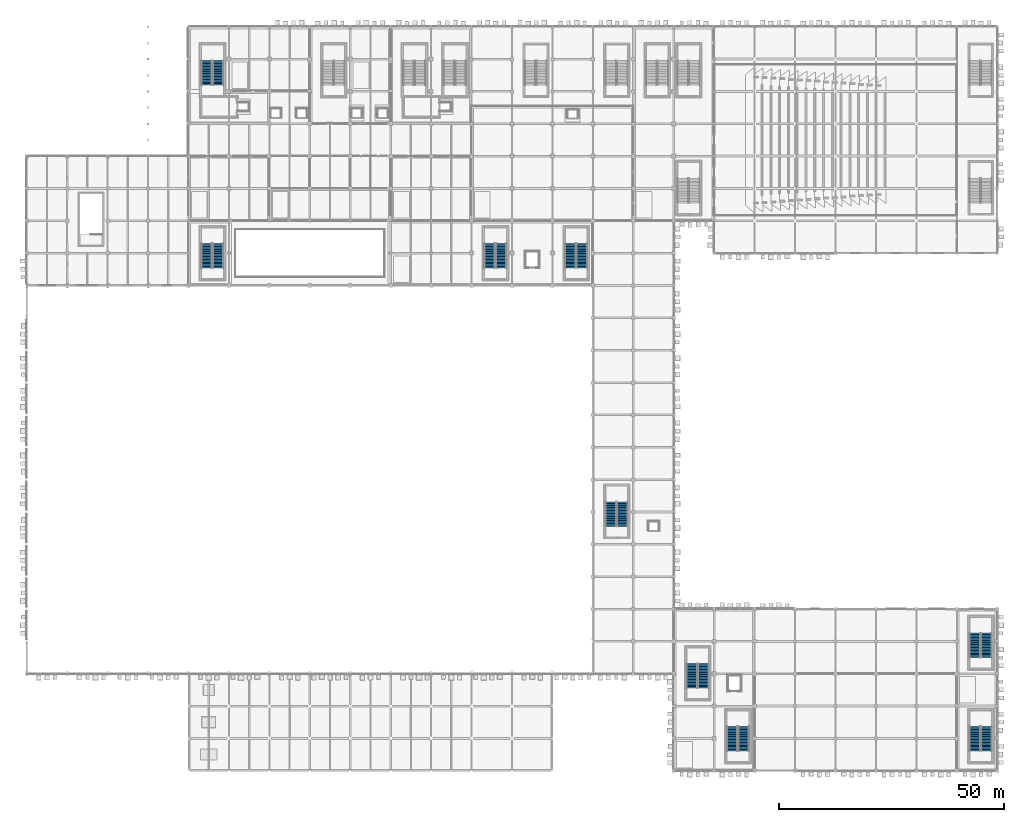
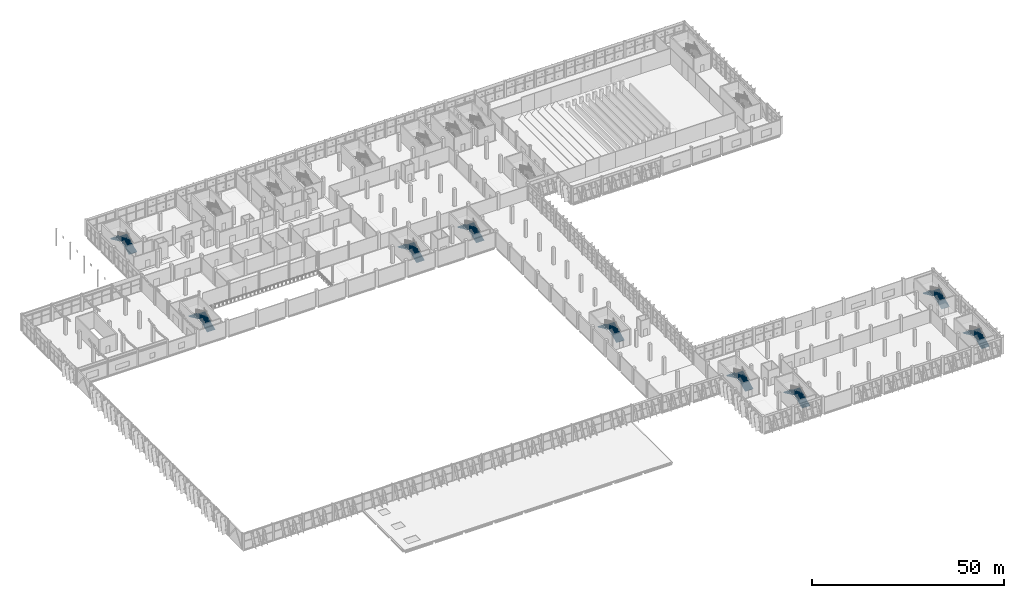
# One storey, part 144 of 189: 18 stair flights, 9 elements without a shape of their own.
"""IFC4 building model written with IfcOpenShell, lengths in metres."""

from ifc_helpers import new_model, si_unit, direction, frame, origin, place, context, subcontext, project, spatial, polyline, outline, extrude, material, type_object, element, aggregate, save


model = new_model("IFC4")

# Units and contexts
model_context = context("Model", 3, precision=1e-05, world=origin(), true_north=direction((0.0, 1.0)))
body_context = subcontext(model_context, "Body", "Model", "MODEL_VIEW")
ifc_project = project(units=[si_unit("LENGTHUNIT", "METRE"), si_unit("AREAUNIT", "SQUARE_METRE"), si_unit("VOLUMEUNIT", "CUBIC_METRE"), si_unit("PLANEANGLEUNIT", "RADIAN"), si_unit("MASSUNIT", "GRAM", prefix="KILO")], contexts=[model_context])

# Site, building, storey
site_placement = place(None, origin())
site = spatial("IfcSite", under=ifc_project, at=site_placement, CompositionType="ELEMENT")
building_placement = place(site_placement, origin())
building = spatial("IfcBuilding", under=site, at=building_placement, Name="Celestram Park Convention Centre", CompositionType="ELEMENT")
storey_placement = place(building_placement, frame((0.0, 0.0, 5.39990234375)))
storey = spatial("IfcBuildingStorey", under=building, at=storey_placement, Name="L01", CompositionType="ELEMENT", Elevation=5.39990234375)

# Stair, stair flights
ifc_material = material(Name="Precast Concrete C40/50", Category="concrete")
stair_type = type_object("IfcStairType", Name="ARC-STR-DOG54", PredefinedType="HALF_TURN_STAIR", material=ifc_material)
stair_1_placement = place(storey_placement, origin())
stair_1 = element("IfcStair", 1, at=stair_1_placement, inside=storey, type_object=stair_type, Name="L01 Core C1 stair ST-01", PredefinedType="HALF_TURN_STAIR")
stair_flight_type = type_object("IfcStairFlightType", Name="ARC-FLT-18R", PredefinedType="STRAIGHT", material=ifc_material)
stair_flight_1_placement = place(storey_placement, frame((42.60009765625, 152.60009765625, 0.0), z_axis=(0.0, 0.0, 1.0), x_axis=(0.0, 1.0, 0.0)))
stair_flight_1 = element("IfcStairFlight", 2, at=stair_flight_1_placement, type_object=stair_flight_type, Name="ST-01 flight 1", NumberOfRisers=18, NumberOfTreads=17, PredefinedType="STRAIGHT", RiserHeight=0.15, TreadLength=0.32, context=body_context, shape_type="SweptSolid", body=[
    extrude(outline(polyline([(0.0, 0.0), (0.0, 0.14990234375), (0.320068359375, 0.14990234375), (0.320068359375, 0.300048828125), (0.639892578125, 0.300048828125), (0.639892578125, 0.449951171875), (0.9599609375, 0.449951171875), (0.9599609375, 0.60009765625), (1.280029296875, 0.60009765625), (1.280029296875, 0.75), (1.60009765625, 0.75), (1.60009765625, 0.89990234375), (1.919921875, 0.89990234375), (1.919921875, 1.050048828125), (2.239990234375, 1.050048828125), (2.239990234375, 1.199951171875), (2.56005859375, 1.199951171875), (2.56005859375, 1.35009765625), (2.8798828125, 1.35009765625), (2.8798828125, 1.5), (3.199951171875, 1.5), (3.199951171875, 1.64990234375), (3.52001953125, 1.64990234375), (3.52001953125, 1.800048828125), (3.840087890625, 1.800048828125), (3.840087890625, 1.949951171875), (4.159912109375, 1.949951171875), (4.159912109375, 2.10009765625), (4.47998046875, 2.10009765625), (4.47998046875, 2.25), (4.800048828125, 2.25), (4.800048828125, 2.39990234375), (5.1201171875, 2.39990234375), (5.1201171875, 2.550048828125), (5.43994140625, 2.550048828125), (5.43994140625, 2.699951171875), (5.43994140625, 2.384521484375), (0.353271484375, 0.0), (0.0, 0.0)])), frame((0.0, 1.199951171875, 0.0), z_axis=(0.0, -1.0, 0.0), x_axis=(1.0, 0.0, 0.0)), (0.0, 0.0, 1.0), 2.39990234375),
])
stair_flight_2_placement = place(storey_placement, frame((40.0400390625, 158.0400390625, 2.7001953125), z_axis=(0.0, 0.0, 1.0), x_axis=(0.0, -1.0, 0.0)))
stair_flight_2 = element("IfcStairFlight", 3, at=stair_flight_2_placement, type_object=stair_flight_type, Name="ST-01 flight 2", NumberOfRisers=18, NumberOfTreads=17, PredefinedType="STRAIGHT", RiserHeight=0.15, TreadLength=0.32, context=body_context, shape_type="SweptSolid", body=[
    extrude(outline(polyline([(0.0, 0.0), (0.0, 0.14990234375), (0.320068359375, 0.14990234375), (0.320068359375, 0.300048828125), (0.639892578125, 0.300048828125), (0.639892578125, 0.449951171875), (0.9599609375, 0.449951171875), (0.9599609375, 0.60009765625), (1.280029296875, 0.60009765625), (1.280029296875, 0.75), (1.60009765625, 0.75), (1.60009765625, 0.89990234375), (1.919921875, 0.89990234375), (1.919921875, 1.050048828125), (2.239990234375, 1.050048828125), (2.239990234375, 1.199951171875), (2.56005859375, 1.199951171875), (2.56005859375, 1.35009765625), (2.8798828125, 1.35009765625), (2.8798828125, 1.5), (3.199951171875, 1.5), (3.199951171875, 1.64990234375), (3.52001953125, 1.64990234375), (3.52001953125, 1.800048828125), (3.840087890625, 1.800048828125), (3.840087890625, 1.949951171875), (4.159912109375, 1.949951171875), (4.159912109375, 2.10009765625), (4.47998046875, 2.10009765625), (4.47998046875, 2.25), (4.800048828125, 2.25), (4.800048828125, 2.39990234375), (5.1201171875, 2.39990234375), (5.1201171875, 2.550048828125), (5.43994140625, 2.550048828125), (5.43994140625, 2.699951171875), (5.43994140625, 2.384521484375), (0.353271484375, 0.0), (0.0, 0.0)])), frame((0.0, 1.199951171875, 0.0), z_axis=(0.0, -1.0, 0.0), x_axis=(1.0, 0.0, 0.0)), (0.0, 0.0, 1.0), 2.39990234375),
])
aggregate(stair_1, [stair_flight_1, stair_flight_2])

stair_2_placement = place(storey_placement, origin())
stair_2 = element("IfcStair", 4, at=stair_2_placement, inside=storey, type_object=stair_type, Name="L01 Core C3 stair ST-03", PredefinedType="HALF_TURN_STAIR")
stair_flight_3_placement = place(storey_placement, frame((105.60009765625, 111.89990234375, 0.0), z_axis=(0.0, 0.0, 1.0), x_axis=(0.0, 1.0, 0.0)))
stair_flight_3 = element("IfcStairFlight", 5, at=stair_flight_3_placement, type_object=stair_flight_type, Name="ST-03 flight 1", NumberOfRisers=18, NumberOfTreads=17, PredefinedType="STRAIGHT", RiserHeight=0.15, TreadLength=0.32, context=body_context, shape_type="SweptSolid", body=[
    extrude(outline(polyline([(0.0, 0.0), (0.0, 0.14990234375), (0.320068359375, 0.14990234375), (0.320068359375, 0.300048828125), (0.639892578125, 0.300048828125), (0.639892578125, 0.449951171875), (0.9599609375, 0.449951171875), (0.9599609375, 0.60009765625), (1.280029296875, 0.60009765625), (1.280029296875, 0.75), (1.60009765625, 0.75), (1.60009765625, 0.89990234375), (1.919921875, 0.89990234375), (1.919921875, 1.050048828125), (2.239990234375, 1.050048828125), (2.239990234375, 1.199951171875), (2.56005859375, 1.199951171875), (2.56005859375, 1.35009765625), (2.8798828125, 1.35009765625), (2.8798828125, 1.5), (3.199951171875, 1.5), (3.199951171875, 1.64990234375), (3.52001953125, 1.64990234375), (3.52001953125, 1.800048828125), (3.840087890625, 1.800048828125), (3.840087890625, 1.949951171875), (4.159912109375, 1.949951171875), (4.159912109375, 2.10009765625), (4.47998046875, 2.10009765625), (4.47998046875, 2.25), (4.800048828125, 2.25), (4.800048828125, 2.39990234375), (5.1201171875, 2.39990234375), (5.1201171875, 2.550048828125), (5.43994140625, 2.550048828125), (5.43994140625, 2.699951171875), (5.43994140625, 2.384521484375), (0.353271484375, 0.0), (0.0, 0.0)])), frame((0.0, 1.199951171875, 0.0), z_axis=(0.0, -1.0, 0.0), x_axis=(1.0, 0.0, 0.0)), (0.0, 0.0, 1.0), 2.39990234375),
])
stair_flight_4_placement = place(storey_placement, frame((103.0400390625, 117.340087890625, 2.7001953125), z_axis=(0.0, 0.0, 1.0), x_axis=(0.0, -1.0, 0.0)))
stair_flight_4 = element("IfcStairFlight", 6, at=stair_flight_4_placement, type_object=stair_flight_type, Name="ST-03 flight 2", NumberOfRisers=18, NumberOfTreads=17, PredefinedType="STRAIGHT", RiserHeight=0.15, TreadLength=0.32, context=body_context, shape_type="SweptSolid", body=[
    extrude(outline(polyline([(0.0, 0.0), (0.0, 0.14990234375), (0.320068359375, 0.14990234375), (0.320068359375, 0.300048828125), (0.639892578125, 0.300048828125), (0.639892578125, 0.449951171875), (0.9599609375, 0.449951171875), (0.9599609375, 0.60009765625), (1.280029296875, 0.60009765625), (1.280029296875, 0.75), (1.60009765625, 0.75), (1.60009765625, 0.89990234375), (1.919921875, 0.89990234375), (1.919921875, 1.050048828125), (2.239990234375, 1.050048828125), (2.239990234375, 1.199951171875), (2.56005859375, 1.199951171875), (2.56005859375, 1.35009765625), (2.8798828125, 1.35009765625), (2.8798828125, 1.5), (3.199951171875, 1.5), (3.199951171875, 1.64990234375), (3.52001953125, 1.64990234375), (3.52001953125, 1.800048828125), (3.840087890625, 1.800048828125), (3.840087890625, 1.949951171875), (4.159912109375, 1.949951171875), (4.159912109375, 2.10009765625), (4.47998046875, 2.10009765625), (4.47998046875, 2.25), (4.800048828125, 2.25), (4.800048828125, 2.39990234375), (5.1201171875, 2.39990234375), (5.1201171875, 2.550048828125), (5.43994140625, 2.550048828125), (5.43994140625, 2.699951171875), (5.43994140625, 2.384521484375), (0.353271484375, 0.0), (0.0, 0.0)])), frame((0.0, 1.199951171875, 0.0), z_axis=(0.0, -1.0, 0.0), x_axis=(1.0, 0.0, 0.0)), (0.0, 0.0, 1.0), 2.39990234375),
])
aggregate(stair_2, [stair_flight_3, stair_flight_4])

stair_3_placement = place(storey_placement, origin())
stair_3 = element("IfcStair", 7, at=stair_3_placement, inside=storey, type_object=stair_type, Name="L01 Core C4 stair ST-04", PredefinedType="HALF_TURN_STAIR")
stair_flight_5_placement = place(storey_placement, frame((132.60009765625, 54.39990234375, 0.0), z_axis=(0.0, 0.0, 1.0), x_axis=(0.0, 1.0, 0.0)))
stair_flight_5 = element("IfcStairFlight", 8, at=stair_flight_5_placement, type_object=stair_flight_type, Name="ST-04 flight 1", NumberOfRisers=18, NumberOfTreads=17, PredefinedType="STRAIGHT", RiserHeight=0.15, TreadLength=0.32, context=body_context, shape_type="SweptSolid", body=[
    extrude(outline(polyline([(0.0, 0.0), (0.0, 0.14990234375), (0.320068359375, 0.14990234375), (0.320068359375, 0.300048828125), (0.639892578125, 0.300048828125), (0.639892578125, 0.449951171875), (0.9599609375, 0.449951171875), (0.9599609375, 0.60009765625), (1.280029296875, 0.60009765625), (1.280029296875, 0.75), (1.60009765625, 0.75), (1.60009765625, 0.89990234375), (1.919921875, 0.89990234375), (1.919921875, 1.050048828125), (2.239990234375, 1.050048828125), (2.239990234375, 1.199951171875), (2.56005859375, 1.199951171875), (2.56005859375, 1.35009765625), (2.8798828125, 1.35009765625), (2.8798828125, 1.5), (3.199951171875, 1.5), (3.199951171875, 1.64990234375), (3.52001953125, 1.64990234375), (3.52001953125, 1.800048828125), (3.840087890625, 1.800048828125), (3.840087890625, 1.949951171875), (4.159912109375, 1.949951171875), (4.159912109375, 2.10009765625), (4.47998046875, 2.10009765625), (4.47998046875, 2.25), (4.800048828125, 2.25), (4.800048828125, 2.39990234375), (5.1201171875, 2.39990234375), (5.1201171875, 2.550048828125), (5.43994140625, 2.550048828125), (5.43994140625, 2.699951171875), (5.43994140625, 2.384521484375), (0.353271484375, 0.0), (0.0, 0.0)])), frame((0.0, 1.199951171875, 0.0), z_axis=(0.0, -1.0, 0.0), x_axis=(1.0, 0.0, 0.0)), (0.0, 0.0, 1.0), 2.39990234375),
])
stair_flight_6_placement = place(storey_placement, frame((130.0400390625, 59.840087890625, 2.7001953125), z_axis=(0.0, 0.0, 1.0), x_axis=(0.0, -1.0, 0.0)))
stair_flight_6 = element("IfcStairFlight", 9, at=stair_flight_6_placement, type_object=stair_flight_type, Name="ST-04 flight 2", NumberOfRisers=18, NumberOfTreads=17, PredefinedType="STRAIGHT", RiserHeight=0.15, TreadLength=0.32, context=body_context, shape_type="SweptSolid", body=[
    extrude(outline(polyline([(0.0, 0.0), (0.0, 0.14990234375), (0.320068359375, 0.14990234375), (0.320068359375, 0.300048828125), (0.639892578125, 0.300048828125), (0.639892578125, 0.449951171875), (0.9599609375, 0.449951171875), (0.9599609375, 0.60009765625), (1.280029296875, 0.60009765625), (1.280029296875, 0.75), (1.60009765625, 0.75), (1.60009765625, 0.89990234375), (1.919921875, 0.89990234375), (1.919921875, 1.050048828125), (2.239990234375, 1.050048828125), (2.239990234375, 1.199951171875), (2.56005859375, 1.199951171875), (2.56005859375, 1.35009765625), (2.8798828125, 1.35009765625), (2.8798828125, 1.5), (3.199951171875, 1.5), (3.199951171875, 1.64990234375), (3.52001953125, 1.64990234375), (3.52001953125, 1.800048828125), (3.840087890625, 1.800048828125), (3.840087890625, 1.949951171875), (4.159912109375, 1.949951171875), (4.159912109375, 2.10009765625), (4.47998046875, 2.10009765625), (4.47998046875, 2.25), (4.800048828125, 2.25), (4.800048828125, 2.39990234375), (5.1201171875, 2.39990234375), (5.1201171875, 2.550048828125), (5.43994140625, 2.550048828125), (5.43994140625, 2.699951171875), (5.43994140625, 2.384521484375), (0.353271484375, 0.0), (0.0, 0.0)])), frame((0.0, 1.199951171875, 0.0), z_axis=(0.0, -1.0, 0.0), x_axis=(1.0, 0.0, 0.0)), (0.0, 0.0, 1.0), 2.39990234375),
])
aggregate(stair_3, [stair_flight_5, stair_flight_6])

stair_4_placement = place(storey_placement, origin())
stair_4 = element("IfcStair", 10, at=stair_4_placement, inside=storey, type_object=stair_type, Name="L01 Core C6 stair ST-06", PredefinedType="HALF_TURN_STAIR")
stair_flight_7_placement = place(storey_placement, frame((150.60009765625, 18.39990234375, 0.0), z_axis=(0.0, 0.0, 1.0), x_axis=(0.0, 1.0, 0.0)))
stair_flight_7 = element("IfcStairFlight", 11, at=stair_flight_7_placement, type_object=stair_flight_type, Name="ST-06 flight 1", NumberOfRisers=18, NumberOfTreads=17, PredefinedType="STRAIGHT", RiserHeight=0.15, TreadLength=0.32, context=body_context, shape_type="SweptSolid", body=[
    extrude(outline(polyline([(0.0, 0.0), (0.0, 0.14990234375), (0.320068359375, 0.14990234375), (0.320068359375, 0.300048828125), (0.639892578125, 0.300048828125), (0.639892578125, 0.449951171875), (0.9599609375, 0.449951171875), (0.9599609375, 0.60009765625), (1.280029296875, 0.60009765625), (1.280029296875, 0.75), (1.60009765625, 0.75), (1.60009765625, 0.89990234375), (1.919921875, 0.89990234375), (1.919921875, 1.050048828125), (2.239990234375, 1.050048828125), (2.239990234375, 1.199951171875), (2.56005859375, 1.199951171875), (2.56005859375, 1.35009765625), (2.8798828125, 1.35009765625), (2.8798828125, 1.5), (3.199951171875, 1.5), (3.199951171875, 1.64990234375), (3.52001953125, 1.64990234375), (3.52001953125, 1.800048828125), (3.840087890625, 1.800048828125), (3.840087890625, 1.949951171875), (4.159912109375, 1.949951171875), (4.159912109375, 2.10009765625), (4.47998046875, 2.10009765625), (4.47998046875, 2.25), (4.800048828125, 2.25), (4.800048828125, 2.39990234375), (5.1201171875, 2.39990234375), (5.1201171875, 2.550048828125), (5.43994140625, 2.550048828125), (5.43994140625, 2.699951171875), (5.43994140625, 2.384521484375), (0.353271484375, 0.0), (0.0, 0.0)])), frame((0.0, 1.199951171875, 0.0), z_axis=(0.0, -1.0, 0.0), x_axis=(1.0, 0.0, 0.0)), (0.0, 0.0, 1.0), 2.39990234375),
])
stair_flight_8_placement = place(storey_placement, frame((148.0400390625, 23.840087890625, 2.7001953125), z_axis=(0.0, 0.0, 1.0), x_axis=(0.0, -1.0, 0.0)))
stair_flight_8 = element("IfcStairFlight", 12, at=stair_flight_8_placement, type_object=stair_flight_type, Name="ST-06 flight 2", NumberOfRisers=18, NumberOfTreads=17, PredefinedType="STRAIGHT", RiserHeight=0.15, TreadLength=0.32, context=body_context, shape_type="SweptSolid", body=[
    extrude(outline(polyline([(0.0, 0.0), (0.0, 0.14990234375), (0.320068359375, 0.14990234375), (0.320068359375, 0.300048828125), (0.639892578125, 0.300048828125), (0.639892578125, 0.449951171875), (0.9599609375, 0.449951171875), (0.9599609375, 0.60009765625), (1.280029296875, 0.60009765625), (1.280029296875, 0.75), (1.60009765625, 0.75), (1.60009765625, 0.89990234375), (1.919921875, 0.89990234375), (1.919921875, 1.050048828125), (2.239990234375, 1.050048828125), (2.239990234375, 1.199951171875), (2.56005859375, 1.199951171875), (2.56005859375, 1.35009765625), (2.8798828125, 1.35009765625), (2.8798828125, 1.5), (3.199951171875, 1.5), (3.199951171875, 1.64990234375), (3.52001953125, 1.64990234375), (3.52001953125, 1.800048828125), (3.840087890625, 1.800048828125), (3.840087890625, 1.949951171875), (4.159912109375, 1.949951171875), (4.159912109375, 2.10009765625), (4.47998046875, 2.10009765625), (4.47998046875, 2.25), (4.800048828125, 2.25), (4.800048828125, 2.39990234375), (5.1201171875, 2.39990234375), (5.1201171875, 2.550048828125), (5.43994140625, 2.550048828125), (5.43994140625, 2.699951171875), (5.43994140625, 2.384521484375), (0.353271484375, 0.0), (0.0, 0.0)])), frame((0.0, 1.199951171875, 0.0), z_axis=(0.0, -1.0, 0.0), x_axis=(1.0, 0.0, 0.0)), (0.0, 0.0, 1.0), 2.39990234375),
])
aggregate(stair_4, [stair_flight_7, stair_flight_8])

stair_5_placement = place(storey_placement, origin())
stair_5 = element("IfcStair", 13, at=stair_5_placement, inside=storey, type_object=stair_type, Name="L01 Core S11 stair ST-11", PredefinedType="HALF_TURN_STAIR")
stair_flight_9_placement = place(storey_placement, frame((213.60009765625, 4.39990234375, 0.0), z_axis=(0.0, 0.0, 1.0), x_axis=(0.0, 1.0, 0.0)))
stair_flight_9 = element("IfcStairFlight", 14, at=stair_flight_9_placement, type_object=stair_flight_type, Name="ST-11 flight 1", NumberOfRisers=18, NumberOfTreads=17, PredefinedType="STRAIGHT", RiserHeight=0.15, TreadLength=0.32, context=body_context, shape_type="SweptSolid", body=[
    extrude(outline(polyline([(0.0, 0.0), (0.0, 0.14990234375), (0.320068359375, 0.14990234375), (0.320068359375, 0.300048828125), (0.639892578125, 0.300048828125), (0.639892578125, 0.449951171875), (0.9599609375, 0.449951171875), (0.9599609375, 0.60009765625), (1.280029296875, 0.60009765625), (1.280029296875, 0.75), (1.60009765625, 0.75), (1.60009765625, 0.89990234375), (1.919921875, 0.89990234375), (1.919921875, 1.050048828125), (2.239990234375, 1.050048828125), (2.239990234375, 1.199951171875), (2.56005859375, 1.199951171875), (2.56005859375, 1.35009765625), (2.8798828125, 1.35009765625), (2.8798828125, 1.5), (3.199951171875, 1.5), (3.199951171875, 1.64990234375), (3.52001953125, 1.64990234375), (3.52001953125, 1.800048828125), (3.840087890625, 1.800048828125), (3.840087890625, 1.949951171875), (4.159912109375, 1.949951171875), (4.159912109375, 2.10009765625), (4.47998046875, 2.10009765625), (4.47998046875, 2.25), (4.800048828125, 2.25), (4.800048828125, 2.39990234375), (5.1201171875, 2.39990234375), (5.1201171875, 2.550048828125), (5.43994140625, 2.550048828125), (5.43994140625, 2.699951171875), (5.43994140625, 2.384521484375), (0.353271484375, 0.0), (0.0, 0.0)])), frame((0.0, 1.199951171875, 0.0), z_axis=(0.0, -1.0, 0.0), x_axis=(1.0, 0.0, 0.0)), (0.0, 0.0, 1.0), 2.39990234375),
])
stair_flight_10_placement = place(storey_placement, frame((211.0400390625, 9.840087890625, 2.7001953125), z_axis=(0.0, 0.0, 1.0), x_axis=(0.0, -1.0, 0.0)))
stair_flight_10 = element("IfcStairFlight", 15, at=stair_flight_10_placement, type_object=stair_flight_type, Name="ST-11 flight 2", NumberOfRisers=18, NumberOfTreads=17, PredefinedType="STRAIGHT", RiserHeight=0.15, TreadLength=0.32, context=body_context, shape_type="SweptSolid", body=[
    extrude(outline(polyline([(0.0, 0.0), (0.0, 0.14990234375), (0.320068359375, 0.14990234375), (0.320068359375, 0.300048828125), (0.639892578125, 0.300048828125), (0.639892578125, 0.449951171875), (0.9599609375, 0.449951171875), (0.9599609375, 0.60009765625), (1.280029296875, 0.60009765625), (1.280029296875, 0.75), (1.60009765625, 0.75), (1.60009765625, 0.89990234375), (1.919921875, 0.89990234375), (1.919921875, 1.050048828125), (2.239990234375, 1.050048828125), (2.239990234375, 1.199951171875), (2.56005859375, 1.199951171875), (2.56005859375, 1.35009765625), (2.8798828125, 1.35009765625), (2.8798828125, 1.5), (3.199951171875, 1.5), (3.199951171875, 1.64990234375), (3.52001953125, 1.64990234375), (3.52001953125, 1.800048828125), (3.840087890625, 1.800048828125), (3.840087890625, 1.949951171875), (4.159912109375, 1.949951171875), (4.159912109375, 2.10009765625), (4.47998046875, 2.10009765625), (4.47998046875, 2.25), (4.800048828125, 2.25), (4.800048828125, 2.39990234375), (5.1201171875, 2.39990234375), (5.1201171875, 2.550048828125), (5.43994140625, 2.550048828125), (5.43994140625, 2.699951171875), (5.43994140625, 2.384521484375), (0.353271484375, 0.0), (0.0, 0.0)])), frame((0.0, 1.199951171875, 0.0), z_axis=(0.0, -1.0, 0.0), x_axis=(1.0, 0.0, 0.0)), (0.0, 0.0, 1.0), 2.39990234375),
])
aggregate(stair_5, [stair_flight_9, stair_flight_10])

stair_6_placement = place(storey_placement, origin())
stair_6 = element("IfcStair", 16, at=stair_6_placement, inside=storey, type_object=stair_type, Name="L01 Core S12 stair ST-12", PredefinedType="HALF_TURN_STAIR")
stair_flight_11_placement = place(storey_placement, frame((213.60009765625, 25.199951171875, 0.0), z_axis=(0.0, 0.0, 1.0), x_axis=(0.0, 1.0, 0.0)))
stair_flight_11 = element("IfcStairFlight", 17, at=stair_flight_11_placement, type_object=stair_flight_type, Name="ST-12 flight 1", NumberOfRisers=18, NumberOfTreads=17, PredefinedType="STRAIGHT", RiserHeight=0.15, TreadLength=0.32, context=body_context, shape_type="SweptSolid", body=[
    extrude(outline(polyline([(0.0, 0.0), (0.0, 0.14990234375), (0.320068359375, 0.14990234375), (0.320068359375, 0.300048828125), (0.639892578125, 0.300048828125), (0.639892578125, 0.449951171875), (0.9599609375, 0.449951171875), (0.9599609375, 0.60009765625), (1.280029296875, 0.60009765625), (1.280029296875, 0.75), (1.60009765625, 0.75), (1.60009765625, 0.89990234375), (1.919921875, 0.89990234375), (1.919921875, 1.050048828125), (2.239990234375, 1.050048828125), (2.239990234375, 1.199951171875), (2.56005859375, 1.199951171875), (2.56005859375, 1.35009765625), (2.8798828125, 1.35009765625), (2.8798828125, 1.5), (3.199951171875, 1.5), (3.199951171875, 1.64990234375), (3.52001953125, 1.64990234375), (3.52001953125, 1.800048828125), (3.840087890625, 1.800048828125), (3.840087890625, 1.949951171875), (4.159912109375, 1.949951171875), (4.159912109375, 2.10009765625), (4.47998046875, 2.10009765625), (4.47998046875, 2.25), (4.800048828125, 2.25), (4.800048828125, 2.39990234375), (5.1201171875, 2.39990234375), (5.1201171875, 2.550048828125), (5.43994140625, 2.550048828125), (5.43994140625, 2.699951171875), (5.43994140625, 2.384521484375), (0.353271484375, 0.0), (0.0, 0.0)])), frame((0.0, 1.199951171875, 0.0), z_axis=(0.0, -1.0, 0.0), x_axis=(1.0, 0.0, 0.0)), (0.0, 0.0, 1.0), 2.39990234375),
])
stair_flight_12_placement = place(storey_placement, frame((211.0400390625, 30.639892578125, 2.7001953125), z_axis=(0.0, 0.0, 1.0), x_axis=(0.0, -1.0, 0.0)))
stair_flight_12 = element("IfcStairFlight", 18, at=stair_flight_12_placement, type_object=stair_flight_type, Name="ST-12 flight 2", NumberOfRisers=18, NumberOfTreads=17, PredefinedType="STRAIGHT", RiserHeight=0.15, TreadLength=0.32, context=body_context, shape_type="SweptSolid", body=[
    extrude(outline(polyline([(0.0, 0.0), (0.0, 0.14990234375), (0.320068359375, 0.14990234375), (0.320068359375, 0.300048828125), (0.639892578125, 0.300048828125), (0.639892578125, 0.449951171875), (0.9599609375, 0.449951171875), (0.9599609375, 0.60009765625), (1.280029296875, 0.60009765625), (1.280029296875, 0.75), (1.60009765625, 0.75), (1.60009765625, 0.89990234375), (1.919921875, 0.89990234375), (1.919921875, 1.050048828125), (2.239990234375, 1.050048828125), (2.239990234375, 1.199951171875), (2.56005859375, 1.199951171875), (2.56005859375, 1.35009765625), (2.8798828125, 1.35009765625), (2.8798828125, 1.5), (3.199951171875, 1.5), (3.199951171875, 1.64990234375), (3.52001953125, 1.64990234375), (3.52001953125, 1.800048828125), (3.840087890625, 1.800048828125), (3.840087890625, 1.949951171875), (4.159912109375, 1.949951171875), (4.159912109375, 2.10009765625), (4.47998046875, 2.10009765625), (4.47998046875, 2.25), (4.800048828125, 2.25), (4.800048828125, 2.39990234375), (5.1201171875, 2.39990234375), (5.1201171875, 2.550048828125), (5.43994140625, 2.550048828125), (5.43994140625, 2.699951171875), (5.43994140625, 2.384521484375), (0.353271484375, 0.0), (0.0, 0.0)])), frame((0.0, 1.199951171875, 0.0), z_axis=(0.0, -1.0, 0.0), x_axis=(1.0, 0.0, 0.0)), (0.0, 0.0, 1.0), 2.39990234375),
])
aggregate(stair_6, [stair_flight_11, stair_flight_12])

stair_7_placement = place(storey_placement, origin())
stair_7 = element("IfcStair", 19, at=stair_7_placement, inside=storey, type_object=stair_type, Name="L01 Core S13 stair ST-13", PredefinedType="HALF_TURN_STAIR")
stair_flight_13_placement = place(storey_placement, frame((42.60009765625, 111.89990234375, 0.0), z_axis=(0.0, 0.0, 1.0), x_axis=(0.0, 1.0, 0.0)))
stair_flight_13 = element("IfcStairFlight", 20, at=stair_flight_13_placement, type_object=stair_flight_type, Name="ST-13 flight 1", NumberOfRisers=18, NumberOfTreads=17, PredefinedType="STRAIGHT", RiserHeight=0.15, TreadLength=0.32, context=body_context, shape_type="SweptSolid", body=[
    extrude(outline(polyline([(0.0, 0.0), (0.0, 0.14990234375), (0.320068359375, 0.14990234375), (0.320068359375, 0.300048828125), (0.639892578125, 0.300048828125), (0.639892578125, 0.449951171875), (0.9599609375, 0.449951171875), (0.9599609375, 0.60009765625), (1.280029296875, 0.60009765625), (1.280029296875, 0.75), (1.60009765625, 0.75), (1.60009765625, 0.89990234375), (1.919921875, 0.89990234375), (1.919921875, 1.050048828125), (2.239990234375, 1.050048828125), (2.239990234375, 1.199951171875), (2.56005859375, 1.199951171875), (2.56005859375, 1.35009765625), (2.8798828125, 1.35009765625), (2.8798828125, 1.5), (3.199951171875, 1.5), (3.199951171875, 1.64990234375), (3.52001953125, 1.64990234375), (3.52001953125, 1.800048828125), (3.840087890625, 1.800048828125), (3.840087890625, 1.949951171875), (4.159912109375, 1.949951171875), (4.159912109375, 2.10009765625), (4.47998046875, 2.10009765625), (4.47998046875, 2.25), (4.800048828125, 2.25), (4.800048828125, 2.39990234375), (5.1201171875, 2.39990234375), (5.1201171875, 2.550048828125), (5.43994140625, 2.550048828125), (5.43994140625, 2.699951171875), (5.43994140625, 2.384521484375), (0.353271484375, 0.0), (0.0, 0.0)])), frame((0.0, 1.199951171875, 0.0), z_axis=(0.0, -1.0, 0.0), x_axis=(1.0, 0.0, 0.0)), (0.0, 0.0, 1.0), 2.39990234375),
])
stair_flight_14_placement = place(storey_placement, frame((40.0400390625, 117.340087890625, 2.7001953125), z_axis=(0.0, 0.0, 1.0), x_axis=(0.0, -1.0, 0.0)))
stair_flight_14 = element("IfcStairFlight", 21, at=stair_flight_14_placement, type_object=stair_flight_type, Name="ST-13 flight 2", NumberOfRisers=18, NumberOfTreads=17, PredefinedType="STRAIGHT", RiserHeight=0.15, TreadLength=0.32, context=body_context, shape_type="SweptSolid", body=[
    extrude(outline(polyline([(0.0, 0.0), (0.0, 0.14990234375), (0.320068359375, 0.14990234375), (0.320068359375, 0.300048828125), (0.639892578125, 0.300048828125), (0.639892578125, 0.449951171875), (0.9599609375, 0.449951171875), (0.9599609375, 0.60009765625), (1.280029296875, 0.60009765625), (1.280029296875, 0.75), (1.60009765625, 0.75), (1.60009765625, 0.89990234375), (1.919921875, 0.89990234375), (1.919921875, 1.050048828125), (2.239990234375, 1.050048828125), (2.239990234375, 1.199951171875), (2.56005859375, 1.199951171875), (2.56005859375, 1.35009765625), (2.8798828125, 1.35009765625), (2.8798828125, 1.5), (3.199951171875, 1.5), (3.199951171875, 1.64990234375), (3.52001953125, 1.64990234375), (3.52001953125, 1.800048828125), (3.840087890625, 1.800048828125), (3.840087890625, 1.949951171875), (4.159912109375, 1.949951171875), (4.159912109375, 2.10009765625), (4.47998046875, 2.10009765625), (4.47998046875, 2.25), (4.800048828125, 2.25), (4.800048828125, 2.39990234375), (5.1201171875, 2.39990234375), (5.1201171875, 2.550048828125), (5.43994140625, 2.550048828125), (5.43994140625, 2.699951171875), (5.43994140625, 2.384521484375), (0.353271484375, 0.0), (0.0, 0.0)])), frame((0.0, 1.199951171875, 0.0), z_axis=(0.0, -1.0, 0.0), x_axis=(1.0, 0.0, 0.0)), (0.0, 0.0, 1.0), 2.39990234375),
])
aggregate(stair_7, [stair_flight_13, stair_flight_14])

stair_8_placement = place(storey_placement, origin())
stair_8 = element("IfcStair", 22, at=stair_8_placement, inside=storey, type_object=stair_type, Name="L01 Core S20 stair ST-20", PredefinedType="HALF_TURN_STAIR")
stair_flight_15_placement = place(storey_placement, frame((123.60009765625, 111.89990234375, 0.0), z_axis=(0.0, 0.0, 1.0), x_axis=(0.0, 1.0, 0.0)))
stair_flight_15 = element("IfcStairFlight", 23, at=stair_flight_15_placement, type_object=stair_flight_type, Name="ST-20 flight 1", NumberOfRisers=18, NumberOfTreads=17, PredefinedType="STRAIGHT", RiserHeight=0.15, TreadLength=0.32, context=body_context, shape_type="SweptSolid", body=[
    extrude(outline(polyline([(0.0, 0.0), (0.0, 0.14990234375), (0.320068359375, 0.14990234375), (0.320068359375, 0.300048828125), (0.639892578125, 0.300048828125), (0.639892578125, 0.449951171875), (0.9599609375, 0.449951171875), (0.9599609375, 0.60009765625), (1.280029296875, 0.60009765625), (1.280029296875, 0.75), (1.60009765625, 0.75), (1.60009765625, 0.89990234375), (1.919921875, 0.89990234375), (1.919921875, 1.050048828125), (2.239990234375, 1.050048828125), (2.239990234375, 1.199951171875), (2.56005859375, 1.199951171875), (2.56005859375, 1.35009765625), (2.8798828125, 1.35009765625), (2.8798828125, 1.5), (3.199951171875, 1.5), (3.199951171875, 1.64990234375), (3.52001953125, 1.64990234375), (3.52001953125, 1.800048828125), (3.840087890625, 1.800048828125), (3.840087890625, 1.949951171875), (4.159912109375, 1.949951171875), (4.159912109375, 2.10009765625), (4.47998046875, 2.10009765625), (4.47998046875, 2.25), (4.800048828125, 2.25), (4.800048828125, 2.39990234375), (5.1201171875, 2.39990234375), (5.1201171875, 2.550048828125), (5.43994140625, 2.550048828125), (5.43994140625, 2.699951171875), (5.43994140625, 2.384521484375), (0.353271484375, 0.0), (0.0, 0.0)])), frame((0.0, 1.199951171875, 0.0), z_axis=(0.0, -1.0, 0.0), x_axis=(1.0, 0.0, 0.0)), (0.0, 0.0, 1.0), 2.39990234375),
])
stair_flight_16_placement = place(storey_placement, frame((121.0400390625, 117.340087890625, 2.7001953125), z_axis=(0.0, 0.0, 1.0), x_axis=(0.0, -1.0, 0.0)))
stair_flight_16 = element("IfcStairFlight", 24, at=stair_flight_16_placement, type_object=stair_flight_type, Name="ST-20 flight 2", NumberOfRisers=18, NumberOfTreads=17, PredefinedType="STRAIGHT", RiserHeight=0.15, TreadLength=0.32, context=body_context, shape_type="SweptSolid", body=[
    extrude(outline(polyline([(0.0, 0.0), (0.0, 0.14990234375), (0.320068359375, 0.14990234375), (0.320068359375, 0.300048828125), (0.639892578125, 0.300048828125), (0.639892578125, 0.449951171875), (0.9599609375, 0.449951171875), (0.9599609375, 0.60009765625), (1.280029296875, 0.60009765625), (1.280029296875, 0.75), (1.60009765625, 0.75), (1.60009765625, 0.89990234375), (1.919921875, 0.89990234375), (1.919921875, 1.050048828125), (2.239990234375, 1.050048828125), (2.239990234375, 1.199951171875), (2.56005859375, 1.199951171875), (2.56005859375, 1.35009765625), (2.8798828125, 1.35009765625), (2.8798828125, 1.5), (3.199951171875, 1.5), (3.199951171875, 1.64990234375), (3.52001953125, 1.64990234375), (3.52001953125, 1.800048828125), (3.840087890625, 1.800048828125), (3.840087890625, 1.949951171875), (4.159912109375, 1.949951171875), (4.159912109375, 2.10009765625), (4.47998046875, 2.10009765625), (4.47998046875, 2.25), (4.800048828125, 2.25), (4.800048828125, 2.39990234375), (5.1201171875, 2.39990234375), (5.1201171875, 2.550048828125), (5.43994140625, 2.550048828125), (5.43994140625, 2.699951171875), (5.43994140625, 2.384521484375), (0.353271484375, 0.0), (0.0, 0.0)])), frame((0.0, 1.199951171875, 0.0), z_axis=(0.0, -1.0, 0.0), x_axis=(1.0, 0.0, 0.0)), (0.0, 0.0, 1.0), 2.39990234375),
])
aggregate(stair_8, [stair_flight_15, stair_flight_16])

stair_9_placement = place(storey_placement, origin())
stair_9 = element("IfcStair", 25, at=stair_9_placement, inside=storey, type_object=stair_type, Name="L01 Core S21 stair ST-21", PredefinedType="HALF_TURN_STAIR")
stair_flight_17_placement = place(storey_placement, frame((159.60009765625, 4.39990234375, 0.0), z_axis=(0.0, 0.0, 1.0), x_axis=(0.0, 1.0, 0.0)))
stair_flight_17 = element("IfcStairFlight", 26, at=stair_flight_17_placement, type_object=stair_flight_type, Name="ST-21 flight 1", NumberOfRisers=18, NumberOfTreads=17, PredefinedType="STRAIGHT", RiserHeight=0.15, TreadLength=0.32, context=body_context, shape_type="SweptSolid", body=[
    extrude(outline(polyline([(0.0, 0.0), (0.0, 0.14990234375), (0.320068359375, 0.14990234375), (0.320068359375, 0.300048828125), (0.639892578125, 0.300048828125), (0.639892578125, 0.449951171875), (0.9599609375, 0.449951171875), (0.9599609375, 0.60009765625), (1.280029296875, 0.60009765625), (1.280029296875, 0.75), (1.60009765625, 0.75), (1.60009765625, 0.89990234375), (1.919921875, 0.89990234375), (1.919921875, 1.050048828125), (2.239990234375, 1.050048828125), (2.239990234375, 1.199951171875), (2.56005859375, 1.199951171875), (2.56005859375, 1.35009765625), (2.8798828125, 1.35009765625), (2.8798828125, 1.5), (3.199951171875, 1.5), (3.199951171875, 1.64990234375), (3.52001953125, 1.64990234375), (3.52001953125, 1.800048828125), (3.840087890625, 1.800048828125), (3.840087890625, 1.949951171875), (4.159912109375, 1.949951171875), (4.159912109375, 2.10009765625), (4.47998046875, 2.10009765625), (4.47998046875, 2.25), (4.800048828125, 2.25), (4.800048828125, 2.39990234375), (5.1201171875, 2.39990234375), (5.1201171875, 2.550048828125), (5.43994140625, 2.550048828125), (5.43994140625, 2.699951171875), (5.43994140625, 2.384521484375), (0.353271484375, 0.0), (0.0, 0.0)])), frame((0.0, 1.199951171875, 0.0), z_axis=(0.0, -1.0, 0.0), x_axis=(1.0, 0.0, 0.0)), (0.0, 0.0, 1.0), 2.39990234375),
])
stair_flight_18_placement = place(storey_placement, frame((157.0400390625, 9.840087890625, 2.7001953125), z_axis=(0.0, 0.0, 1.0), x_axis=(0.0, -1.0, 0.0)))
stair_flight_18 = element("IfcStairFlight", 27, at=stair_flight_18_placement, type_object=stair_flight_type, Name="ST-21 flight 2", NumberOfRisers=18, NumberOfTreads=17, PredefinedType="STRAIGHT", RiserHeight=0.15, TreadLength=0.32, context=body_context, shape_type="SweptSolid", body=[
    extrude(outline(polyline([(0.0, 0.0), (0.0, 0.14990234375), (0.320068359375, 0.14990234375), (0.320068359375, 0.300048828125), (0.639892578125, 0.300048828125), (0.639892578125, 0.449951171875), (0.9599609375, 0.449951171875), (0.9599609375, 0.60009765625), (1.280029296875, 0.60009765625), (1.280029296875, 0.75), (1.60009765625, 0.75), (1.60009765625, 0.89990234375), (1.919921875, 0.89990234375), (1.919921875, 1.050048828125), (2.239990234375, 1.050048828125), (2.239990234375, 1.199951171875), (2.56005859375, 1.199951171875), (2.56005859375, 1.35009765625), (2.8798828125, 1.35009765625), (2.8798828125, 1.5), (3.199951171875, 1.5), (3.199951171875, 1.64990234375), (3.52001953125, 1.64990234375), (3.52001953125, 1.800048828125), (3.840087890625, 1.800048828125), (3.840087890625, 1.949951171875), (4.159912109375, 1.949951171875), (4.159912109375, 2.10009765625), (4.47998046875, 2.10009765625), (4.47998046875, 2.25), (4.800048828125, 2.25), (4.800048828125, 2.39990234375), (5.1201171875, 2.39990234375), (5.1201171875, 2.550048828125), (5.43994140625, 2.550048828125), (5.43994140625, 2.699951171875), (5.43994140625, 2.384521484375), (0.353271484375, 0.0), (0.0, 0.0)])), frame((0.0, 1.199951171875, 0.0), z_axis=(0.0, -1.0, 0.0), x_axis=(1.0, 0.0, 0.0)), (0.0, 0.0, 1.0), 2.39990234375),
])
aggregate(stair_9, [stair_flight_17, stair_flight_18])

save(model, "model.ifc")
